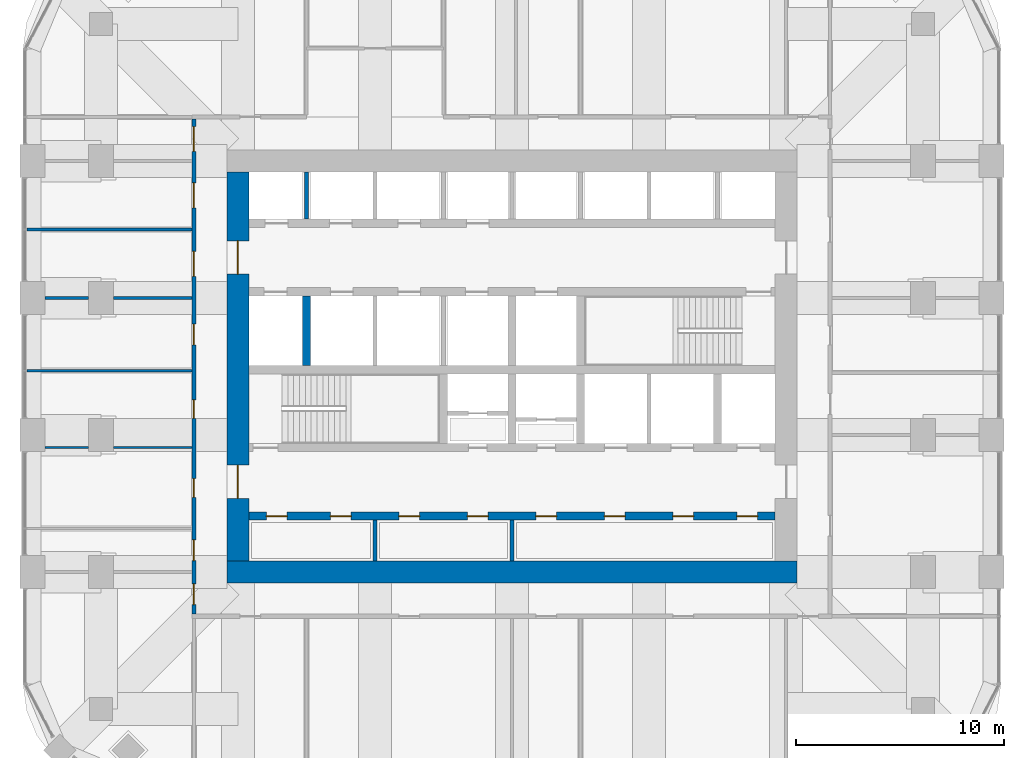
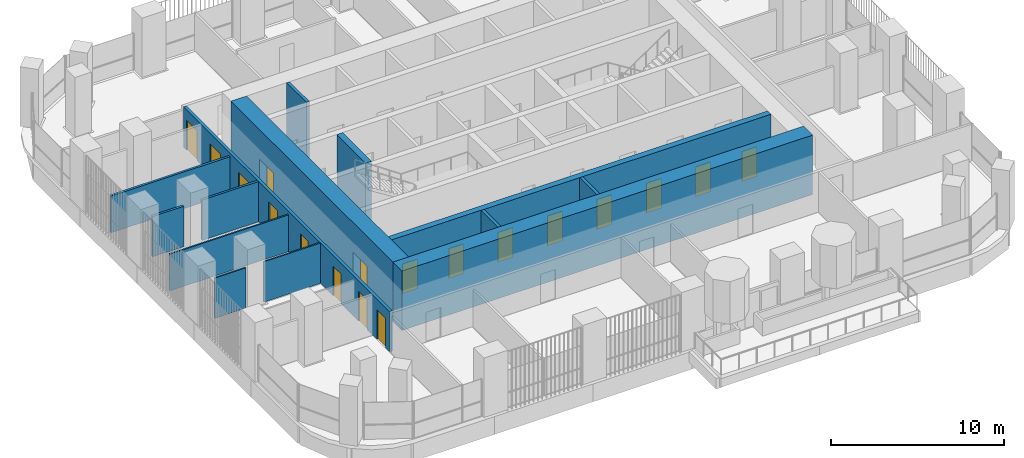
# One storey, part 13 of 20: 18 doors, 14 walls, 18 openings.
"""IFC4 building model written with IfcOpenShell, lengths in metres."""

from ifc_helpers import new_model, si_unit, direction, frame, frame_2d, origin, place, context, subcontext, project, spatial, rectangle, extrude, material, layer, layer_set, type_object, element, fill, save


model = new_model("IFC4")

# Units and contexts
model_context = context("Model", 3, precision=1e-05, world=origin(), true_north=direction((0.0, 1.0)))
body_context = subcontext(model_context, "Body", "Model", "MODEL_VIEW")
ifc_project = project(units=[si_unit("LENGTHUNIT", "METRE"), si_unit("AREAUNIT", "SQUARE_METRE"), si_unit("VOLUMEUNIT", "CUBIC_METRE"), si_unit("PLANEANGLEUNIT", "RADIAN"), si_unit("MASSUNIT", "GRAM", prefix="KILO")], contexts=[model_context])

# Site, building, storey
site_placement = place(None, origin())
site = spatial("IfcSite", under=ifc_project, at=site_placement, CompositionType="ELEMENT")
building_placement = place(site_placement, origin())
building = spatial("IfcBuilding", under=site, at=building_placement, Name="Cobogo Forest Laboratory Tower", CompositionType="ELEMENT")
storey_placement = place(building_placement, frame((0.0, 0.0, 214.5)))
storey = spatial("IfcBuildingStorey", under=building, at=storey_placement, Name="L49", CompositionType="ELEMENT", Elevation=214.5)

# Wall, openings, doors
ifc_material_1 = material(Name="Concrete HA-50 (C50/60)", Category="concrete")
ifc_layer_1 = layer(ifc_material_1, 0.39990234375)
ifc_layer_set_1 = layer_set([ifc_layer_1], Name="CI400 core inner wall 400")
wall_type_1 = type_object("IfcWallType", Name="CI400 core inner wall 400", PredefinedType="SHEAR", material=ifc_layer_set_1)
wall_1_placement = place(storey_placement, frame((13.72509765625, 15.89990234375, 0.0), z_axis=(0.0, 0.0, 1.0), x_axis=(1.0, 0.0, 0.0)))
wall_1 = element("IfcWall", 1, at=wall_1_placement, inside=storey, type_object=wall_type_1, Name="Core wall CI-15.9 L49", PredefinedType="SHEAR", context=body_context, shape_type="SweptSolid", body=[
    extrude(rectangle(XDim=25.349853515625, YDim=0.39990234375, at=frame_2d((12.6748046875, 0.0))), origin(), (0.0, 0.0, 1.0), 4.199951171875),
])
opening_1_placement = place(wall_1_placement, frame((0.83740234375, 0.0, 0.0)))
opening_1 = element("IfcOpeningElement", 2, at=opening_1_placement, cuts=wall_1, Name="Opening L49-D10", PredefinedType="OPENING", context=body_context, shape_type="SweptSolid", body=[
    extrude(rectangle(XDim=1.0, YDim=2.10009765625, at=frame_2d((0.5, 1.050048828125))), frame((0.0, 0.2099609375, 0.0), z_axis=(0.0, -1.0, 0.0), x_axis=(1.0, 0.0, 0.0)), (0.0, 0.0, 1.0), 0.419921875),
])
opening_2_placement = place(wall_1_placement, frame((3.925048828125, 0.0, 0.0)))
opening_2 = element("IfcOpeningElement", 3, at=opening_2_placement, cuts=wall_1, Name="Opening L49-D11", PredefinedType="OPENING", context=body_context, shape_type="SweptSolid", body=[
    extrude(rectangle(XDim=1.0, YDim=2.10009765625, at=frame_2d((0.5, 1.050048828125))), frame((0.0, 0.2099609375, 0.0), z_axis=(0.0, -1.0, 0.0), x_axis=(1.0, 0.0, 0.0)), (0.0, 0.0, 1.0), 0.419921875),
])
opening_3_placement = place(wall_1_placement, frame((7.22509765625, 0.0, 0.0)))
opening_3 = element("IfcOpeningElement", 4, at=opening_3_placement, cuts=wall_1, Name="Opening L49-D12", PredefinedType="OPENING", context=body_context, shape_type="SweptSolid", body=[
    extrude(rectangle(XDim=1.0, YDim=2.10009765625, at=frame_2d((0.5, 1.050048828125))), frame((0.0, 0.2099609375, 0.0), z_axis=(0.0, -1.0, 0.0), x_axis=(1.0, 0.0, 0.0)), (0.0, 0.0, 1.0), 0.419921875),
])
opening_4_placement = place(wall_1_placement, frame((10.52490234375, 0.0, 0.0)))
opening_4 = element("IfcOpeningElement", 5, at=opening_4_placement, cuts=wall_1, Name="Opening L49-D13", PredefinedType="OPENING", context=body_context, shape_type="SweptSolid", body=[
    extrude(rectangle(XDim=1.0, YDim=2.10009765625, at=frame_2d((0.5, 1.050048828125))), frame((0.0, 0.2099609375, 0.0), z_axis=(0.0, -1.0, 0.0), x_axis=(1.0, 0.0, 0.0)), (0.0, 0.0, 1.0), 0.419921875),
])
opening_5_placement = place(wall_1_placement, frame((13.824951171875, 0.0, 0.0)))
opening_5 = element("IfcOpeningElement", 6, at=opening_5_placement, cuts=wall_1, Name="Opening L49-D14", PredefinedType="OPENING", context=body_context, shape_type="SweptSolid", body=[
    extrude(rectangle(XDim=1.0, YDim=2.10009765625, at=frame_2d((0.5, 1.050048828125))), frame((0.0, 0.2099609375, 0.0), z_axis=(0.0, -1.0, 0.0), x_axis=(1.0, 0.0, 0.0)), (0.0, 0.0, 1.0), 0.419921875),
])
opening_6_placement = place(wall_1_placement, frame((17.125, 0.0, 0.0)))
opening_6 = element("IfcOpeningElement", 7, at=opening_6_placement, cuts=wall_1, Name="Opening L49-D15", PredefinedType="OPENING", context=body_context, shape_type="SweptSolid", body=[
    extrude(rectangle(XDim=1.0, YDim=2.10009765625, at=frame_2d((0.5, 1.050048828125))), frame((0.0, 0.2099609375, 0.0), z_axis=(0.0, -1.0, 0.0), x_axis=(1.0, 0.0, 0.0)), (0.0, 0.0, 1.0), 0.419921875),
])
opening_7_placement = place(wall_1_placement, frame((20.425048828125, 0.0, 0.0)))
opening_7 = element("IfcOpeningElement", 8, at=opening_7_placement, cuts=wall_1, Name="Opening L49-D16", PredefinedType="OPENING", context=body_context, shape_type="SweptSolid", body=[
    extrude(rectangle(XDim=1.0, YDim=2.10009765625, at=frame_2d((0.5, 1.050048828125))), frame((0.0, 0.2099609375, 0.0), z_axis=(0.0, -1.0, 0.0), x_axis=(1.0, 0.0, 0.0)), (0.0, 0.0, 1.0), 0.419921875),
])
opening_8_placement = place(wall_1_placement, frame((23.512451171875, 0.0, 0.0)))
opening_8 = element("IfcOpeningElement", 9, at=opening_8_placement, cuts=wall_1, Name="Opening L49-D17", PredefinedType="OPENING", context=body_context, shape_type="SweptSolid", body=[
    extrude(rectangle(XDim=1.0, YDim=2.10009765625, at=frame_2d((0.5, 1.050048828125))), frame((0.0, 0.2099609375, 0.0), z_axis=(0.0, -1.0, 0.0), x_axis=(1.0, 0.0, 0.0)), (0.0, 0.0, 1.0), 0.419921875),
])
ifc_material_2 = material(Name="Steel fire door", Category="steel")
door_type_1 = type_object("IfcDoorType", Name="FD1 fire door 1000 EI2 60", OperationType="SINGLE_SWING_LEFT", PredefinedType="DOOR", material=ifc_material_2)
door_1_placement = place(opening_1_placement, origin())
door_1 = element("IfcDoor", 10, at=door_1_placement, inside=storey, type_object=door_type_1, Name="Door L49-SH-LA1", OperationType="SINGLE_SWING_LEFT", OverallHeight=2.10009765625, OverallWidth=1.0, PredefinedType="DOOR", context=body_context, shape_type="SweptSolid", body=[
    extrude(rectangle(XDim=1.0, YDim=2.10009765625, at=frame_2d((0.5, 1.050048828125))), frame((0.0, 0.02490234375, 0.0), z_axis=(0.0, -1.0, 0.0), x_axis=(1.0, 0.0, 0.0)), (0.0, 0.0, 1.0), 0.050048828125),
])
fill(opening_1, door_1)
door_2_placement = place(opening_2_placement, origin())
door_2 = element("IfcDoor", 11, at=door_2_placement, inside=storey, type_object=door_type_1, Name="Door L49-SH-LA2", OperationType="SINGLE_SWING_LEFT", OverallHeight=2.10009765625, OverallWidth=1.0, PredefinedType="DOOR", context=body_context, shape_type="SweptSolid", body=[
    extrude(rectangle(XDim=1.0, YDim=2.10009765625, at=frame_2d((0.5, 1.050048828125))), frame((0.0, 0.02490234375, 0.0), z_axis=(0.0, -1.0, 0.0), x_axis=(1.0, 0.0, 0.0)), (0.0, 0.0, 1.0), 0.050048828125),
])
fill(opening_2, door_2)
door_3_placement = place(opening_3_placement, origin())
door_3 = element("IfcDoor", 12, at=door_3_placement, inside=storey, type_object=door_type_1, Name="Door L49-SH-LA3", OperationType="SINGLE_SWING_LEFT", OverallHeight=2.10009765625, OverallWidth=1.0, PredefinedType="DOOR", context=body_context, shape_type="SweptSolid", body=[
    extrude(rectangle(XDim=1.0, YDim=2.10009765625, at=frame_2d((0.5, 1.050048828125))), frame((0.0, 0.02490234375, 0.0), z_axis=(0.0, -1.0, 0.0), x_axis=(1.0, 0.0, 0.0)), (0.0, 0.0, 1.0), 0.050048828125),
])
fill(opening_3, door_3)
door_4_placement = place(opening_4_placement, origin())
door_4 = element("IfcDoor", 13, at=door_4_placement, inside=storey, type_object=door_type_1, Name="Door L49-SH-LA4", OperationType="SINGLE_SWING_LEFT", OverallHeight=2.10009765625, OverallWidth=1.0, PredefinedType="DOOR", context=body_context, shape_type="SweptSolid", body=[
    extrude(rectangle(XDim=1.0, YDim=2.10009765625, at=frame_2d((0.5, 1.050048828125))), frame((0.0, 0.02490234375, 0.0), z_axis=(0.0, -1.0, 0.0), x_axis=(1.0, 0.0, 0.0)), (0.0, 0.0, 1.0), 0.050048828125),
])
fill(opening_4, door_4)
door_5_placement = place(opening_5_placement, origin())
door_5 = element("IfcDoor", 14, at=door_5_placement, inside=storey, type_object=door_type_1, Name="Door L49-SH-LB1", OperationType="SINGLE_SWING_RIGHT", OverallHeight=2.10009765625, OverallWidth=1.0, PredefinedType="DOOR", context=body_context, shape_type="SweptSolid", body=[
    extrude(rectangle(XDim=1.0, YDim=2.10009765625, at=frame_2d((0.5, 1.050048828125))), frame((0.0, 0.02490234375, 0.0), z_axis=(0.0, -1.0, 0.0), x_axis=(1.0, 0.0, 0.0)), (0.0, 0.0, 1.0), 0.050048828125),
])
fill(opening_5, door_5)
door_6_placement = place(opening_6_placement, origin())
door_6 = element("IfcDoor", 15, at=door_6_placement, inside=storey, type_object=door_type_1, Name="Door L49-SH-LB2", OperationType="SINGLE_SWING_RIGHT", OverallHeight=2.10009765625, OverallWidth=1.0, PredefinedType="DOOR", context=body_context, shape_type="SweptSolid", body=[
    extrude(rectangle(XDim=1.0, YDim=2.10009765625, at=frame_2d((0.5, 1.050048828125))), frame((0.0, 0.02490234375, 0.0), z_axis=(0.0, -1.0, 0.0), x_axis=(1.0, 0.0, 0.0)), (0.0, 0.0, 1.0), 0.050048828125),
])
fill(opening_6, door_6)
door_7_placement = place(opening_7_placement, origin())
door_7 = element("IfcDoor", 16, at=door_7_placement, inside=storey, type_object=door_type_1, Name="Door L49-SH-LB3", OperationType="SINGLE_SWING_RIGHT", OverallHeight=2.10009765625, OverallWidth=1.0, PredefinedType="DOOR", context=body_context, shape_type="SweptSolid", body=[
    extrude(rectangle(XDim=1.0, YDim=2.10009765625, at=frame_2d((0.5, 1.050048828125))), frame((0.0, 0.02490234375, 0.0), z_axis=(0.0, -1.0, 0.0), x_axis=(1.0, 0.0, 0.0)), (0.0, 0.0, 1.0), 0.050048828125),
])
fill(opening_7, door_7)
door_8_placement = place(opening_8_placement, origin())
door_8 = element("IfcDoor", 17, at=door_8_placement, inside=storey, type_object=door_type_1, Name="Door L49-SH-LB4", OperationType="SINGLE_SWING_RIGHT", OverallHeight=2.10009765625, OverallWidth=1.0, PredefinedType="DOOR", context=body_context, shape_type="SweptSolid", body=[
    extrude(rectangle(XDim=1.0, YDim=2.10009765625, at=frame_2d((0.5, 1.050048828125))), frame((0.0, 0.02490234375, 0.0), z_axis=(0.0, -1.0, 0.0), x_axis=(1.0, 0.0, 0.0)), (0.0, 0.0, 1.0), 0.050048828125),
])
fill(opening_8, door_8)

# Walls
wall_2_placement = place(storey_placement, frame((16.5, 23.14990234375, 0.0), z_axis=(0.0, 0.0, 1.0), x_axis=(0.0, 1.0, 0.0)))
element("IfcWall", 18, at=wall_2_placement, inside=storey, type_object=wall_type_1, Name="Core wall CX-16.5 L49", PredefinedType="SHEAR", context=body_context, shape_type="SweptSolid", body=[
    extrude(rectangle(XDim=3.35009765625, YDim=0.39990234375, at=frame_2d((1.675048828125, 0.0))), origin(), (0.0, 0.0, 1.0), 4.199951171875),
])
ifc_layer_2 = layer(ifc_material_1, 1.050048828125)
ifc_layer_set_2 = layer_set([ifc_layer_2], Name="CW1050 core outer wall 1050")
wall_type_2 = type_object("IfcWallType", Name="CW1050 core outer wall 1050", PredefinedType="SHEAR", material=ifc_layer_set_2)
wall_3_placement = place(storey_placement, frame((12.675048828125, 13.199951171875, 0.0), z_axis=(0.0, 0.0, 1.0), x_axis=(1.0, 0.0, 0.0)))
element("IfcWall", 19, at=wall_3_placement, inside=storey, type_object=wall_type_2, Name="Core wall CO-S L49", PredefinedType="SHEAR", context=body_context, shape_type="SweptSolid", body=[
    extrude(rectangle(XDim=27.449951171875, YDim=1.050048828125, at=frame_2d((13.72509765625, 0.0))), origin(), (0.0, 0.0, 1.0), 4.199951171875),
])

# Wall, openings, doors
wall_4_placement = place(storey_placement, frame((13.199951171875, 32.47509765625, 0.0), z_axis=(0.0, 0.0, 1.0), x_axis=(0.0, -1.0, 0.0)))
wall_4 = element("IfcWall", 20, at=wall_4_placement, inside=storey, type_object=wall_type_2, Name="Core wall CO-W L49", PredefinedType="SHEAR", context=body_context, shape_type="SweptSolid", body=[
    extrude(rectangle(XDim=18.75, YDim=1.050048828125, at=frame_2d((9.375, 0.0))), origin(), (0.0, 0.0, 1.0), 4.199951171875),
])
opening_9_placement = place(wall_4_placement, frame((14.125, 0.0, 0.0)))
opening_9 = element("IfcOpeningElement", 21, at=opening_9_placement, cuts=wall_4, Name="Opening L49-D19", PredefinedType="OPENING", context=body_context, shape_type="SweptSolid", body=[
    extrude(rectangle(XDim=1.60009765625, YDim=2.10009765625, at=frame_2d((0.800048828125, 1.050048828125))), frame((0.0, 0.534912109375, 0.0), z_axis=(0.0, -1.0, 0.0), x_axis=(1.0, 0.0, 0.0)), (0.0, 0.0, 1.0), 1.070068359375),
])
opening_10_placement = place(wall_4_placement, frame((3.324951171875, 0.0, 0.0)))
opening_10 = element("IfcOpeningElement", 22, at=opening_10_placement, cuts=wall_4, Name="Opening L49-D32", PredefinedType="OPENING", context=body_context, shape_type="SweptSolid", body=[
    extrude(rectangle(XDim=1.60009765625, YDim=2.10009765625, at=frame_2d((0.800048828125, 1.050048828125))), frame((0.0, 0.534912109375, 0.0), z_axis=(0.0, -1.0, 0.0), x_axis=(1.0, 0.0, 0.0)), (0.0, 0.0, 1.0), 1.070068359375),
])
door_type_2 = type_object("IfcDoorType", Name="DS2 protected lobby door pair 1600 EI2 60", OperationType="DOUBLE_DOOR_DOUBLE_SWING", PredefinedType="DOOR", material=ifc_material_2)
door_9_placement = place(opening_9_placement, origin())
door_9 = element("IfcDoor", 23, at=door_9_placement, inside=storey, type_object=door_type_2, Name="Door L49-CO-W-S", OperationType="DOUBLE_DOOR_DOUBLE_SWING", OverallHeight=2.10009765625, OverallWidth=1.60009765625, PredefinedType="DOOR", context=body_context, shape_type="SweptSolid", body=[
    extrude(rectangle(XDim=1.60009765625, YDim=2.10009765625, at=frame_2d((0.800048828125, 1.050048828125))), frame((0.0, 0.02490234375, 0.0), z_axis=(0.0, -1.0, 0.0), x_axis=(1.0, 0.0, 0.0)), (0.0, 0.0, 1.0), 0.050048828125),
])
fill(opening_9, door_9)
door_10_placement = place(opening_10_placement, origin())
door_10 = element("IfcDoor", 24, at=door_10_placement, inside=storey, type_object=door_type_2, Name="Door L49-CO-W-N", OperationType="DOUBLE_DOOR_DOUBLE_SWING", OverallHeight=2.10009765625, OverallWidth=1.60009765625, PredefinedType="DOOR", context=body_context, shape_type="SweptSolid", body=[
    extrude(rectangle(XDim=1.60009765625, YDim=2.10009765625, at=frame_2d((0.800048828125, 1.050048828125))), frame((0.0, 0.02490234375, 0.0), z_axis=(0.0, -1.0, 0.0), x_axis=(1.0, 0.0, 0.0)), (0.0, 0.0, 1.0), 0.050048828125),
])
fill(opening_10, door_10)

# Walls
ifc_material_3 = material(Name="Gypsum board on steel studs", Category="steel")
ifc_layer_3 = layer(ifc_material_3, 0.14990234375)
ifc_layer_set_3 = layer_set([ifc_layer_3], Name="PT1 laboratory partition 150")
wall_type_3 = type_object("IfcWallType", Name="PT1 laboratory partition 150", PredefinedType="PARTITIONING", material=ifc_layer_set_3)
wall_5_placement = place(storey_placement, frame((3.89990234375, 26.39990234375, 0.0), z_axis=(0.0, 0.0, 1.0), x_axis=(1.0, 0.0, 0.0)))
element("IfcWall", 25, at=wall_5_placement, inside=storey, type_object=wall_type_3, Name="Partition CUT-W26.4-1 L49", PredefinedType="PARTITIONING", context=body_context, shape_type="SweptSolid", body=[
    extrude(rectangle(XDim=2.10009765625, YDim=0.14990234375, at=frame_2d((1.050048828125, 0.0))), origin(), (0.0, 0.0, 1.0), 2.85009765625),
])
wall_6_placement = place(storey_placement, frame((7.199951171875, 26.39990234375, 0.0), z_axis=(0.0, 0.0, 1.0), x_axis=(1.0, 0.0, 0.0)))
element("IfcWall", 26, at=wall_6_placement, inside=storey, type_object=wall_type_3, Name="Partition CUT-W26.4-2 L49", PredefinedType="PARTITIONING", context=body_context, shape_type="SweptSolid", body=[
    extrude(rectangle(XDim=3.775146484375, YDim=0.14990234375, at=frame_2d((1.8876953125, 0.0))), origin(), (0.0, 0.0, 1.0), 2.85009765625),
])
wall_7_placement = place(storey_placement, frame((3.030029296875, 29.699951171875, 0.0), z_axis=(0.0, 0.0, 1.0), x_axis=(1.0, 0.0, 0.0)))
element("IfcWall", 27, at=wall_7_placement, inside=storey, type_object=wall_type_3, Name="Partition CUT-W29.7-1 L49", PredefinedType="PARTITIONING", context=body_context, shape_type="SweptSolid", body=[
    extrude(rectangle(XDim=7.945068359375, YDim=0.14990234375, at=frame_2d((3.97265625, 0.0))), origin(), (0.0, 0.0, 1.0), 2.60009765625),
])

# Wall, openings, doors
ifc_layer_4 = layer(ifc_material_3, 0.199951171875)
ifc_layer_set_4 = layer_set([ifc_layer_4], Name="PT2 fire-rated corridor partition 200")
wall_type_4 = type_object("IfcWallType", Name="PT2 fire-rated corridor partition 200", PredefinedType="PARTITIONING", material=ifc_layer_set_4)
wall_8_placement = place(storey_placement, frame((11.074951171875, 11.175048828125, 0.0), z_axis=(0.0, 0.0, 1.0), x_axis=(0.0, 1.0, 0.0)))
wall_8 = element("IfcWall", 28, at=wall_8_placement, inside=storey, type_object=wall_type_4, Name="Partition CORR-W L49", PredefinedType="PARTITIONING", context=body_context, shape_type="SweptSolid", body=[
    extrude(rectangle(XDim=23.849853515625, YDim=0.199951171875, at=frame_2d((11.9248046875, 0.0))), origin(), (0.0, 0.0, 1.0), 2.85009765625),
])
opening_11_placement = place(wall_8_placement, frame((0.46240234375, 0.0, 0.0)))
opening_11 = element("IfcOpeningElement", 29, at=opening_11_placement, cuts=wall_8, Name="Opening L49-D07", PredefinedType="OPENING", context=body_context, shape_type="SweptSolid", body=[
    extrude(rectangle(XDim=1.0, YDim=2.10009765625, at=frame_2d((0.5, 1.050048828125))), frame((0.0, 0.10986328125, 0.0), z_axis=(0.0, -1.0, 0.0), x_axis=(1.0, 0.0, 0.0)), (0.0, 0.0, 1.0), 0.219970703125),
])
opening_12_placement = place(wall_8_placement, frame((2.574951171875, 0.0, 0.0)))
opening_12 = element("IfcOpeningElement", 30, at=opening_12_placement, cuts=wall_8, Name="Opening L49-D08", PredefinedType="OPENING", context=body_context, shape_type="SweptSolid", body=[
    extrude(rectangle(XDim=1.0, YDim=2.10009765625, at=frame_2d((0.5, 1.050048828125))), frame((0.0, 0.10986328125, 0.0), z_axis=(0.0, -1.0, 0.0), x_axis=(1.0, 0.0, 0.0)), (0.0, 0.0, 1.0), 0.219970703125),
])
opening_13_placement = place(wall_8_placement, frame((5.625, 0.0, 0.0)))
opening_13 = element("IfcOpeningElement", 31, at=opening_13_placement, cuts=wall_8, Name="Opening L49-D18", PredefinedType="OPENING", context=body_context, shape_type="SweptSolid", body=[
    extrude(rectangle(XDim=0.89990234375, YDim=2.10009765625, at=frame_2d((0.449951171875, 1.050048828125))), frame((0.0, 0.10986328125, 0.0), z_axis=(0.0, -1.0, 0.0), x_axis=(1.0, 0.0, 0.0)), (0.0, 0.0, 1.0), 0.219970703125),
])
opening_14_placement = place(wall_8_placement, frame((9.425048828125, 0.0, 0.0)))
opening_14 = element("IfcOpeningElement", 32, at=opening_14_placement, cuts=wall_8, Name="Opening L49-D26", PredefinedType="OPENING", context=body_context, shape_type="SweptSolid", body=[
    extrude(rectangle(XDim=0.89990234375, YDim=2.10009765625, at=frame_2d((0.449951171875, 1.050048828125))), frame((0.0, 0.10986328125, 0.0), z_axis=(0.0, -1.0, 0.0), x_axis=(1.0, 0.0, 0.0)), (0.0, 0.0, 1.0), 0.219970703125),
])
opening_15_placement = place(wall_8_placement, frame((12.97509765625, 0.0, 0.0)))
opening_15 = element("IfcOpeningElement", 33, at=opening_15_placement, cuts=wall_8, Name="Opening L49-D29", PredefinedType="OPENING", context=body_context, shape_type="SweptSolid", body=[
    extrude(rectangle(XDim=1.0, YDim=2.10009765625, at=frame_2d((0.5, 1.050048828125))), frame((0.0, 0.10986328125, 0.0), z_axis=(0.0, -1.0, 0.0), x_axis=(1.0, 0.0, 0.0)), (0.0, 0.0, 1.0), 0.219970703125),
])
opening_16_placement = place(wall_8_placement, frame((16.27490234375, 0.0, 0.0)))
opening_16 = element("IfcOpeningElement", 34, at=opening_16_placement, cuts=wall_8, Name="Opening L49-D31", PredefinedType="OPENING", context=body_context, shape_type="SweptSolid", body=[
    extrude(rectangle(XDim=1.199951171875, YDim=2.10009765625, at=frame_2d((0.60009765625, 1.050048828125))), frame((0.0, 0.10986328125, 0.0), z_axis=(0.0, -1.0, 0.0), x_axis=(1.0, 0.0, 0.0)), (0.0, 0.0, 1.0), 0.219970703125),
])
opening_17_placement = place(wall_8_placement, frame((19.574951171875, 0.0, 0.0)))
opening_17 = element("IfcOpeningElement", 35, at=opening_17_placement, cuts=wall_8, Name="Opening L49-D35", PredefinedType="OPENING", context=body_context, shape_type="SweptSolid", body=[
    extrude(rectangle(XDim=1.199951171875, YDim=2.10009765625, at=frame_2d((0.60009765625, 1.050048828125))), frame((0.0, 0.10986328125, 0.0), z_axis=(0.0, -1.0, 0.0), x_axis=(1.0, 0.0, 0.0)), (0.0, 0.0, 1.0), 0.219970703125),
])
opening_18_placement = place(wall_8_placement, frame((22.28759765625, 0.0, 0.0)))
opening_18 = element("IfcOpeningElement", 36, at=opening_18_placement, cuts=wall_8, Name="Opening L49-D36", PredefinedType="OPENING", context=body_context, shape_type="SweptSolid", body=[
    extrude(rectangle(XDim=1.199951171875, YDim=2.10009765625, at=frame_2d((0.60009765625, 1.050048828125))), frame((0.0, 0.10986328125, 0.0), z_axis=(0.0, -1.0, 0.0), x_axis=(1.0, 0.0, 0.0)), (0.0, 0.0, 1.0), 0.219970703125),
])
ifc_material_4 = material(Name="Timber door", Category="wood")
door_type_3 = type_object("IfcDoorType", Name="D2 laboratory door 1200 unequal pair", OperationType="DOUBLE_DOOR_SINGLE_SWING", PredefinedType="DOOR", material=ifc_material_4)
door_11_placement = place(opening_16_placement, origin())
door_11 = element("IfcDoor", 37, at=door_11_placement, inside=storey, type_object=door_type_3, Name="Door L49-W3", OperationType="DOUBLE_DOOR_SINGLE_SWING", OverallHeight=2.10009765625, OverallWidth=1.199951171875, PredefinedType="DOOR", context=body_context, shape_type="SweptSolid", body=[
    extrude(rectangle(XDim=1.199951171875, YDim=2.10009765625, at=frame_2d((0.60009765625, 1.050048828125))), frame((0.0, 0.02490234375, 0.0), z_axis=(0.0, -1.0, 0.0), x_axis=(1.0, 0.0, 0.0)), (0.0, 0.0, 1.0), 0.050048828125),
])
fill(opening_16, door_11)
door_12_placement = place(opening_17_placement, origin())
door_12 = element("IfcDoor", 38, at=door_12_placement, inside=storey, type_object=door_type_3, Name="Door L49-W4", OperationType="DOUBLE_DOOR_SINGLE_SWING", OverallHeight=2.10009765625, OverallWidth=1.199951171875, PredefinedType="DOOR", context=body_context, shape_type="SweptSolid", body=[
    extrude(rectangle(XDim=1.199951171875, YDim=2.10009765625, at=frame_2d((0.60009765625, 1.050048828125))), frame((0.0, 0.02490234375, 0.0), z_axis=(0.0, -1.0, 0.0), x_axis=(1.0, 0.0, 0.0)), (0.0, 0.0, 1.0), 0.050048828125),
])
fill(opening_17, door_12)
door_13_placement = place(opening_18_placement, origin())
door_13 = element("IfcDoor", 39, at=door_13_placement, inside=storey, type_object=door_type_3, Name="Door L49-W5", OperationType="DOUBLE_DOOR_SINGLE_SWING", OverallHeight=2.10009765625, OverallWidth=1.199951171875, PredefinedType="DOOR", context=body_context, shape_type="SweptSolid", body=[
    extrude(rectangle(XDim=1.199951171875, YDim=2.10009765625, at=frame_2d((0.60009765625, 1.050048828125))), frame((0.0, 0.02490234375, 0.0), z_axis=(0.0, -1.0, 0.0), x_axis=(1.0, 0.0, 0.0)), (0.0, 0.0, 1.0), 0.050048828125),
])
fill(opening_18, door_13)
ifc_material_5 = material(Name="Timber fire door", Category="wood")
door_type_4 = type_object("IfcDoorType", Name="FD2 fire door 1000 EI2 30", OperationType="SINGLE_SWING_LEFT", PredefinedType="DOOR", material=ifc_material_5)
door_14_placement = place(opening_11_placement, origin())
door_14 = element("IfcDoor", 40, at=door_14_placement, inside=storey, type_object=door_type_4, Name="Door L49-W1", OperationType="SINGLE_SWING_LEFT", OverallHeight=2.10009765625, OverallWidth=1.0, PredefinedType="DOOR", context=body_context, shape_type="SweptSolid", body=[
    extrude(rectangle(XDim=1.0, YDim=2.10009765625, at=frame_2d((0.5, 1.050048828125))), frame((0.0, 0.02490234375, 0.0), z_axis=(0.0, -1.0, 0.0), x_axis=(1.0, 0.0, 0.0)), (0.0, 0.0, 1.0), 0.050048828125),
])
fill(opening_11, door_14)
door_15_placement = place(opening_15_placement, origin())
door_15 = element("IfcDoor", 41, at=door_15_placement, inside=storey, type_object=door_type_4, Name="Door L49-SHW", OperationType="SINGLE_SWING_RIGHT", OverallHeight=2.10009765625, OverallWidth=1.0, PredefinedType="DOOR", context=body_context, shape_type="SweptSolid", body=[
    extrude(rectangle(XDim=1.0, YDim=2.10009765625, at=frame_2d((0.5, 1.050048828125))), frame((0.0, 0.02490234375, 0.0), z_axis=(0.0, -1.0, 0.0), x_axis=(1.0, 0.0, 0.0)), (0.0, 0.0, 1.0), 0.050048828125),
])
fill(opening_15, door_15)
door_type_5 = type_object("IfcDoorType", Name="FD3 toilet fire door 900 EI2 30", OperationType="SINGLE_SWING_LEFT", PredefinedType="DOOR", material=ifc_material_5)
door_16_placement = place(opening_13_placement, origin())
door_16 = element("IfcDoor", 42, at=door_16_placement, inside=storey, type_object=door_type_5, Name="Door L49-WCF", OperationType="SINGLE_SWING_LEFT", OverallHeight=2.10009765625, OverallWidth=0.89990234375, PredefinedType="DOOR", context=body_context, shape_type="SweptSolid", body=[
    extrude(rectangle(XDim=0.89990234375, YDim=2.10009765625, at=frame_2d((0.449951171875, 1.050048828125))), frame((0.0, 0.02490234375, 0.0), z_axis=(0.0, -1.0, 0.0), x_axis=(1.0, 0.0, 0.0)), (0.0, 0.0, 1.0), 0.050048828125),
])
fill(opening_13, door_16)
door_17_placement = place(opening_14_placement, origin())
door_17 = element("IfcDoor", 43, at=door_17_placement, inside=storey, type_object=door_type_5, Name="Door L49-WCM", OperationType="SINGLE_SWING_LEFT", OverallHeight=2.10009765625, OverallWidth=0.89990234375, PredefinedType="DOOR", context=body_context, shape_type="SweptSolid", body=[
    extrude(rectangle(XDim=0.89990234375, YDim=2.10009765625, at=frame_2d((0.449951171875, 1.050048828125))), frame((0.0, 0.02490234375, 0.0), z_axis=(0.0, -1.0, 0.0), x_axis=(1.0, 0.0, 0.0)), (0.0, 0.0, 1.0), 0.050048828125),
])
fill(opening_14, door_17)
door_type_6 = type_object("IfcDoorType", Name="FDA1 accessible toilet fire door 1000 EI2 30", OperationType="SINGLE_SWING_RIGHT", PredefinedType="DOOR", material=ifc_material_5)
door_18_placement = place(opening_12_placement, origin())
door_18 = element("IfcDoor", 44, at=door_18_placement, inside=storey, type_object=door_type_6, Name="Door L49-WCA", OperationType="SINGLE_SWING_LEFT", OverallHeight=2.10009765625, OverallWidth=1.0, PredefinedType="DOOR", context=body_context, shape_type="SweptSolid", body=[
    extrude(rectangle(XDim=1.0, YDim=2.10009765625, at=frame_2d((0.5, 1.050048828125))), frame((0.0, 0.02490234375, 0.0), z_axis=(0.0, -1.0, 0.0), x_axis=(1.0, 0.0, 0.0)), (0.0, 0.0, 1.0), 0.050048828125),
])
fill(opening_12, door_18)

# Walls
ifc_layer_5 = layer(ifc_material_3, 0.10009765625)
ifc_layer_set_5 = layer_set([ifc_layer_5], Name="PT3 toilet partition 100")
wall_type_5 = type_object("IfcWallType", Name="PT3 toilet partition 100", PredefinedType="PARTITIONING", material=ifc_layer_set_5)
wall_9_placement = place(storey_placement, frame((3.89990234375, 19.199951171875, 0.0), z_axis=(0.0, 0.0, 1.0), x_axis=(1.0, 0.0, 0.0)))
element("IfcWall", 45, at=wall_9_placement, inside=storey, type_object=wall_type_5, Name="Partition SVC-W2-1 L49", PredefinedType="PARTITIONING", context=body_context, shape_type="SweptSolid", body=[
    extrude(rectangle(XDim=2.10009765625, YDim=0.10009765625, at=frame_2d((1.050048828125, 0.0))), origin(), (0.0, 0.0, 1.0), 2.85009765625),
])
wall_10_placement = place(storey_placement, frame((7.199951171875, 19.199951171875, 0.0), z_axis=(0.0, 0.0, 1.0), x_axis=(1.0, 0.0, 0.0)))
element("IfcWall", 46, at=wall_10_placement, inside=storey, type_object=wall_type_5, Name="Partition SVC-W2-2 L49", PredefinedType="PARTITIONING", context=body_context, shape_type="SweptSolid", body=[
    extrude(rectangle(XDim=3.775146484375, YDim=0.10009765625, at=frame_2d((1.8876953125, 0.0))), origin(), (0.0, 0.0, 1.0), 2.85009765625),
])
wall_11_placement = place(storey_placement, frame((3.030029296875, 22.89990234375, 0.0), z_axis=(0.0, 0.0, 1.0), x_axis=(1.0, 0.0, 0.0)))
element("IfcWall", 47, at=wall_11_placement, inside=storey, type_object=wall_type_5, Name="Partition SVC-W3-1 L49", PredefinedType="PARTITIONING", context=body_context, shape_type="SweptSolid", body=[
    extrude(rectangle(XDim=7.945068359375, YDim=0.10009765625, at=frame_2d((3.97265625, 0.0))), origin(), (0.0, 0.0, 1.0), 2.60009765625),
])
ifc_material_6 = material(Name="Concrete block", Category="concrete")
ifc_layer_6 = layer(ifc_material_6, 0.199951171875)
ifc_layer_set_6 = layer_set([ifc_layer_6], Name="SW200 lift shaft separator 200")
wall_type_6 = type_object("IfcWallType", Name="SW200 lift shaft separator 200", PredefinedType="PARTITIONING", material=ifc_layer_set_6)
wall_12_placement = place(storey_placement, frame((16.5, 30.199951171875, 0.0), z_axis=(0.0, 0.0, 1.0), x_axis=(0.0, 1.0, 0.0)))
element("IfcWall", 48, at=wall_12_placement, inside=storey, type_object=wall_type_6, Name="Core wall SEP-N1 L49", PredefinedType="PARTITIONING", context=body_context, shape_type="SweptSolid", body=[
    extrude(rectangle(XDim=2.275146484375, YDim=0.199951171875, at=frame_2d((1.1376953125, 0.0))), origin(), (0.0, 0.0, 1.0), 4.199951171875),
])
for number, where, z_axis, x_axis, name in (
    (49, (19.800048828125, 13.72509765625, 0.0), (0.0, 0.0, 1.0), (0.0, 1.0, 0.0), "Core wall SEP-S2 L49"),
    (50, (26.39990234375, 13.72509765625, 0.0), (0.0, 0.0, 1.0), (0.0, 1.0, 0.0), "Core wall SEP-S4 L49"),
):
    element("IfcWall", number, at=place(storey_placement, frame(where, z_axis=z_axis, x_axis=x_axis)), inside=storey, type_object=wall_type_6, Name=name, PredefinedType="PARTITIONING", context=body_context, shape_type="SweptSolid", body=[
        extrude(rectangle(XDim=1.974853515625, YDim=0.199951171875, at=frame_2d((0.9873046875, 0.0))), origin(), (0.0, 0.0, 1.0), 4.199951171875),
    ])

save(model, "model.ifc")
